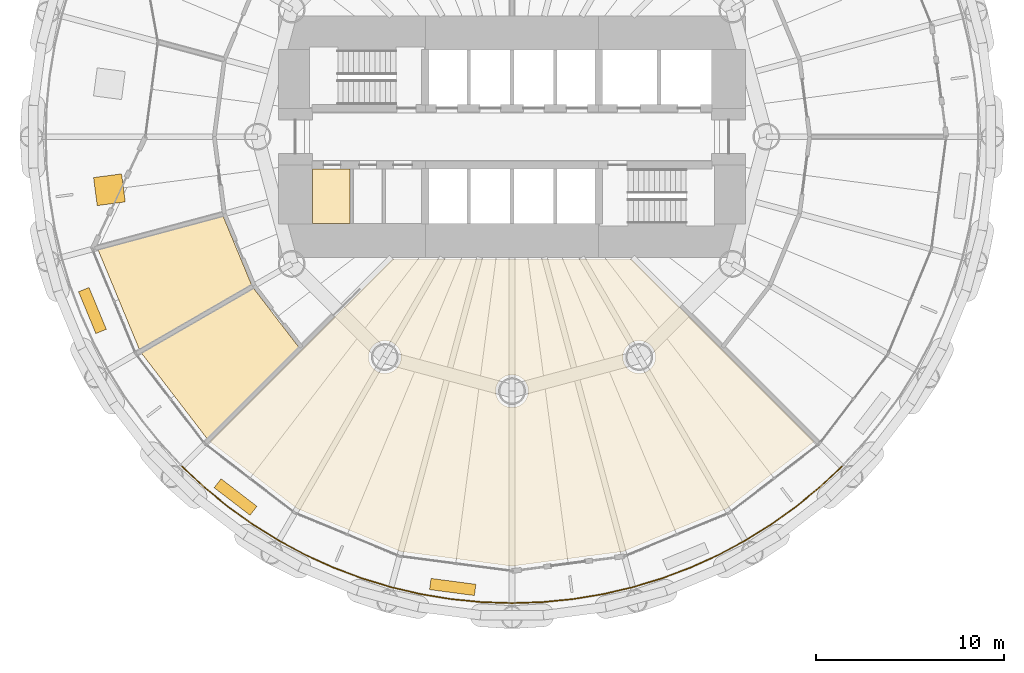
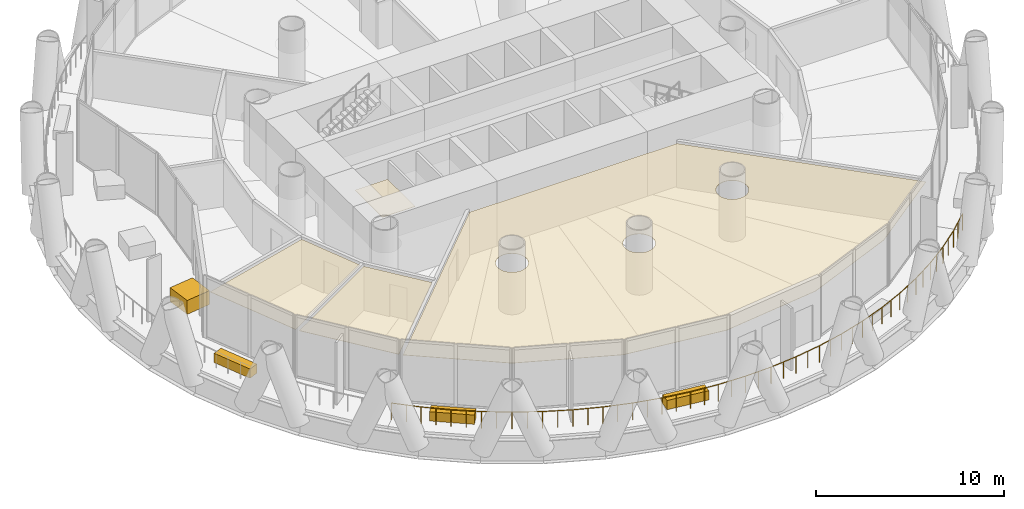
# One storey, part 12 of 15: 8 coverings, 1 railing.
"""IFC4 building model written with IfcOpenShell, lengths in metres."""

import ifcopenshell
import ifcopenshell.guid

model = None  # the IFC model being written
_history = None  # IfcOwnerHistory: only IFC2X3 demands one
_inside = {}  # id of a spatial element -> (the spatial element, [elements in it])
_under = {}  # id of a project, library or spatial element -> (it, [spatial elements below it])
_declared = {}  # id of a project -> (the project, [libraries it declares])
_typed = {}  # id of a type object -> (the type object, [elements of that type])
_made_of = {}  # id of a material, layer set ... -> (it, [elements and type objects made of it])


def new_model(schema):
    """Start an empty IFC model of exactly this schema.

    Asked for "IFC4X3", IfcOpenShell would pick the latest addendum, in which some entities
    have other attributes; the version numbers below select the first issue.
    IFC2X3 requires an IfcOwnerHistory on every rooted entity: one is made here for all.
    """
    global model, _history
    if schema == "IFC4X3":
        model = ifcopenshell.file(schema_version=(4, 3, 0, 0))
    else:
        model = ifcopenshell.file(schema=schema)
    _inside.clear()
    _under.clear()
    _declared.clear()
    _typed.clear()
    _made_of.clear()
    _history = None
    if model.schema == "IFC2X3":
        org = make("IfcOrganization", Name="unknown")
        user = make(
            "IfcPersonAndOrganization",
            ThePerson=make("IfcPerson", FamilyName="unknown"),
            TheOrganization=org,
        )
        app = make(
            "IfcApplication",
            ApplicationDeveloper=org,
            Version="unknown",
            ApplicationFullName="unknown",
            ApplicationIdentifier="unknown",
        )
        _history = make(
            "IfcOwnerHistory",
            OwningUser=user,
            OwningApplication=app,
            ChangeAction="ADDED",
            CreationDate=0,
        )
    return model


def make(cls, **values):
    """One entity of the class cls with the attributes given. An attribute that is None is left unset."""
    return model.create_entity(
        cls, **{name: value for name, value in values.items() if value is not None}
    )


def rooted(cls, **values):
    """An entity with a GlobalId (a new one), such as an element, a storey or a relation."""
    return make(cls, GlobalId=ifcopenshell.guid.new(), OwnerHistory=_history, **values)


def si_unit(unit_type, name, prefix=None):
    """IfcSIUnit, for example si_unit("LENGTHUNIT", "METRE", prefix="MILLI")."""
    return make("IfcSIUnit", UnitType=unit_type, Prefix=prefix, Name=name)


def assignment(units):
    """IfcUnitAssignment: the units of a project."""
    return None if units is None else make("IfcUnitAssignment", Units=units)


def point(xyz):
    """IfcCartesianPoint."""
    return None if xyz is None else make("IfcCartesianPoint", Coordinates=xyz)


def direction(xyz):
    """IfcDirection."""
    return None if xyz is None else make("IfcDirection", DirectionRatios=xyz)


def frame(location, z_axis=None, x_axis=None):
    """IfcAxis2Placement3D, a coordinate frame: its origin and axes. An axis left out is left unset."""
    return make(
        "IfcAxis2Placement3D",
        Location=point(location),
        Axis=direction(z_axis),
        RefDirection=direction(x_axis),
    )


def frame_2d(location, x_axis=None):
    """IfcAxis2Placement2D, a coordinate frame in the plane: its origin and x axis."""
    return make(
        "IfcAxis2Placement2D", Location=point(location), RefDirection=direction(x_axis)
    )


def origin():
    """The frame at (0, 0, 0) with its axes left unset."""
    return frame((0.0, 0.0, 0.0))


def origin_2d():
    """The frame at (0, 0) in the plane with its x axis left unset."""
    return frame_2d((0.0, 0.0))


def place(relative_to, where):
    """IfcLocalPlacement: puts the frame where relative to a parent placement (None: the world)."""
    return make(
        "IfcLocalPlacement", PlacementRelTo=relative_to, RelativePlacement=where
    )


def context(
    kind, dimensions, precision=None, world=None, true_north=None, identifier=None
):
    """IfcGeometricRepresentationContext, for example the 3D "Model" context."""
    return make(
        "IfcGeometricRepresentationContext",
        ContextIdentifier=identifier,
        ContextType=kind,
        CoordinateSpaceDimension=dimensions,
        Precision=precision,
        WorldCoordinateSystem=world,
        TrueNorth=true_north,
    )


def subcontext(parent, identifier, kind, view, scale=None):
    """IfcGeometricRepresentationSubContext, for example "Body" below "Model"."""
    return make(
        "IfcGeometricRepresentationSubContext",
        ContextIdentifier=identifier,
        ContextType=kind,
        ParentContext=parent,
        TargetScale=scale,
        TargetView=view,
    )


def project(units=None, contexts=None):
    """IfcProject with its units and contexts."""
    return rooted(
        "IfcProject",
        Name="project",
        RepresentationContexts=contexts,
        UnitsInContext=assignment(units),
    )


def spatial(cls, under=None, at=None, **own):
    """A site, building, storey or space (cls), placed at a placement, below another one or the project."""
    s = rooted(cls, ObjectPlacement=at, **own)
    if under is not None:
        _under.setdefault(under.id(), (under, []))[1].append(s)
    return s


def polyline(points):
    """IfcPolyline through the points."""
    return make("IfcPolyline", Points=[point(p) for p in points])


def profile(cls, at=None, kind="AREA", **sizes):
    """A parametric profile (cls). Its sizes go by their IFC names, for example OverallWidth=200.0."""
    return make(cls, ProfileType=kind, Position=at, **sizes)


def rectangle(**sizes):
    """IfcRectangleProfileDef."""
    return profile("IfcRectangleProfileDef", **sizes)


def circle(**sizes):
    """IfcCircleProfileDef."""
    return profile("IfcCircleProfileDef", **sizes)


def outline(outer, holes=None, kind="AREA"):
    """IfcArbitraryClosedProfileDef: a profile drawn as a closed curve; with holes, ...WithVoids."""
    if holes is None:
        return make("IfcArbitraryClosedProfileDef", ProfileType=kind, OuterCurve=outer)
    return make(
        "IfcArbitraryProfileDefWithVoids",
        ProfileType=kind,
        OuterCurve=outer,
        InnerCurves=holes,
    )


def extrude(swept, where, along, depth):
    """IfcExtrudedAreaSolid: the profile swept, set in the frame where, extruded along a direction by depth."""
    return make(
        "IfcExtrudedAreaSolid",
        SweptArea=swept,
        Position=where,
        ExtrudedDirection=direction(along),
        Depth=depth,
    )


def shape(context_of_items, identifier, shape_type, items):
    """IfcShapeRepresentation: the items that make up one representation, for example the "Body"."""
    return make(
        "IfcShapeRepresentation",
        ContextOfItems=context_of_items,
        RepresentationIdentifier=identifier,
        RepresentationType=shape_type,
        Items=items,
    )


def material(Name=None, Category=None):
    """IfcMaterial."""
    return make("IfcMaterial", Name=Name, Category=Category)


def layer(
    of_material, thickness, ventilated=None, Name=None, Category=None, Priority=None
):
    """IfcMaterialLayer: one layer of a wall or slab, of a material (None: an air gap)."""
    return make(
        "IfcMaterialLayer",
        Material=of_material,
        LayerThickness=thickness,
        IsVentilated=ventilated,
        Name=Name,
        Category=Category,
        Priority=Priority,
    )


def layer_set(layers, Name=None):
    """IfcMaterialLayerSet."""
    return make("IfcMaterialLayerSet", MaterialLayers=layers, LayerSetName=Name)


def made_of(thing, what):
    """Note that an element or type object is made of a material, layer set ...; save() writes the relation."""
    if what is not None:
        _made_of.setdefault(what.id(), (what, []))[1].append(thing)
    return thing


def type_object(cls, material=None, **own):
    """A type object (cls), such as IfcWallType, which elements share."""
    return made_of(rooted(cls, **own), material)


def element(
    cls,
    number,
    at=None,
    inside=None,
    cuts=None,
    type_object=None,
    material=None,
    context=None,
    identifier="Body",
    shape_type=None,
    held_by="IfcProductDefinitionShape",
    body=None,
    shapes=None,
    **own,
):
    """One element of the class cls, such as IfcWall. Its Tag is "e" and its number.

    at: its placement. inside: the storey or other place that contains it. cuts: it is an
    opening in that element (IfcRelVoidsElement). A single representation is given by context,
    identifier, shape_type and body (its items); several are given by shapes. held_by: the class
    of the entity that holds the representations. save() writes the other relations.
    """
    e = rooted(cls, Tag="e%d" % number, ObjectPlacement=at, **own)
    if body is not None:
        shapes = [shape(context, identifier, shape_type, body)]
    if shapes is not None:
        e.Representation = make(held_by, Representations=shapes)
    if inside is not None:
        _inside.setdefault(inside.id(), (inside, []))[1].append(e)
    if cuts is not None:
        rooted(
            "IfcRelVoidsElement", RelatingBuildingElement=cuts, RelatedOpeningElement=e
        )
    if type_object is not None:
        _typed.setdefault(type_object.id(), (type_object, []))[1].append(e)
    return made_of(e, material)


def aggregate(whole, parts):
    """IfcRelAggregates: a whole, such as a stair, and the parts it consists of."""
    return rooted("IfcRelAggregates", RelatingObject=whole, RelatedObjects=parts)


def save(model, path):
    """Write the relations noted so far, then the file.

    IfcRelAggregates (storeys below a building ...), IfcRelContainedInSpatialStructure (elements
    in a storey), IfcRelDefinesByType, IfcRelAssociatesMaterial and IfcRelDeclares: one each for
    every whole, place, type object, material and project.
    """
    for whole, parts in _under.values():
        aggregate(whole, parts)
    for where, things in _inside.values():
        rooted(
            "IfcRelContainedInSpatialStructure",
            RelatedElements=things,
            RelatingStructure=where,
        )
    for kind, things in _typed.values():
        rooted("IfcRelDefinesByType", RelatedObjects=things, RelatingType=kind)
    for what, things in _made_of.values():
        rooted("IfcRelAssociatesMaterial", RelatedObjects=things, RelatingMaterial=what)
    for by, libraries in _declared.values():
        rooted("IfcRelDeclares", RelatingContext=by, RelatedDefinitions=libraries)
    model.write(path)


model = new_model("IFC4")

# Units and contexts
model_context = context("Model", 3, precision=1e-05, world=origin(), true_north=direction((0.0, 1.0)))
body_context = subcontext(model_context, "Body", "Model", "MODEL_VIEW")
ifc_project = project(units=[si_unit("LENGTHUNIT", "METRE"), si_unit("AREAUNIT", "SQUARE_METRE"), si_unit("VOLUMEUNIT", "CUBIC_METRE"), si_unit("PLANEANGLEUNIT", "RADIAN"), si_unit("MASSUNIT", "GRAM", prefix="KILO")], contexts=[model_context])

# Site, building, storey
site_placement = place(None, origin())
site = spatial("IfcSite", under=ifc_project, at=site_placement, CompositionType="ELEMENT")
building_placement = place(site_placement, origin())
building = spatial("IfcBuilding", under=site, at=building_placement, Name="Qaws Media Tower", CompositionType="ELEMENT")
storey_placement = place(building_placement, frame((0.0, 0.0, 72.199951171875)))
storey = spatial("IfcBuildingStorey", under=building, at=storey_placement, Name="L15", CompositionType="ELEMENT", Elevation=72.199951171875)

# Railing
ifc_material_1 = material(Name="Stainless steel and glass guard", Category="steel")
railing_type = type_object("IfcRailingType", Name="Balcony guard 1100", PredefinedType="GUARDRAIL", material=ifc_material_1)
railing_placement = place(storey_placement, frame((42.4990234375, 32.4990234375, 0.0)))
element("IfcRailing", 1, at=railing_placement, inside=storey, type_object=railing_type, Name="GR1 balcony guard L15-3", PredefinedType="GUARDRAIL", context=body_context, shape_type="SweptSolid", body=[
    extrude(circle(Radius=0.02392578125, at=origin_2d()), frame((0.0, 0.0, 1.076171875), z_axis=(0.729866170297, -0.683590062432, 0.0), x_axis=(0.683590062432, 0.729866170297, 0.0)), (0.0, 0.0, 1.0), 1.61962890625),
    extrude(circle(Radius=0.02392578125, at=origin_2d()), frame((1.18212890625, -1.107177734375, 1.076171875), z_axis=(0.773043042014, -0.634353572698, 0.0), x_axis=(0.634353572698, 0.773043042014, 0.0)), (0.0, 0.0, 1.0), 1.61962890625),
    extrude(circle(Radius=0.02392578125, at=origin_2d()), frame((2.43408203125, -2.134521484375, 1.076171875), z_axis=(0.812887300094, -0.582421013826, 0.0), x_axis=(0.582421013826, 0.812887300094, 0.0)), (0.0, 0.0, 1.0), 1.61962890625),
    extrude(circle(Radius=0.02392578125, at=origin_2d()), frame((3.750732421875, -3.077880859375, 1.076171875), z_axis=(0.849190316648, -0.528086930449, 0.0), x_axis=(0.528086930449, 0.849190316648, 0.0)), (0.0, 0.0, 1.0), 1.619384765625),
    extrude(circle(Radius=0.02392578125, at=origin_2d()), frame((5.1259765625, -3.93310546875, 1.076171875), z_axis=(0.881947874294, -0.471346949738, 0.0), x_axis=(0.471346949738, 0.881947874294, 0.0)), (0.0, 0.0, 1.0), 1.61962890625),
    extrude(circle(Radius=0.02392578125, at=origin_2d()), frame((6.554443359375, -4.696533203125, 1.076171875), z_axis=(0.910840848393, -0.412757736329, 0.0), x_axis=(0.412757736329, 0.910840848393, 0.0)), (0.0, 0.0, 1.0), 1.619384765625),
    extrude(circle(Radius=0.02392578125, at=origin_2d()), frame((8.029541015625, -5.364990234375, 1.076171875), z_axis=(0.935901062927, -0.352262970537, 0.0), x_axis=(0.352262970537, 0.935901062927, 0.0)), (0.0, 0.0, 1.0), 1.61962890625),
    extrude(circle(Radius=0.02392578125, at=origin_2d()), frame((9.54541015625, -5.935546875, 1.076171875), z_axis=(0.956925458438, -0.290333716596, 0.0), x_axis=(0.290333716596, 0.956925458438, 0.0)), (0.0, 0.0, 1.0), 1.61962890625),
    extrude(circle(Radius=0.02392578125, at=origin_2d()), frame((11.09521484375, -6.40576171875, 1.076171875), z_axis=(0.973893440618, -0.227005652619, 0.0), x_axis=(0.227005652619, 0.973893440618, 0.0)), (0.0, 0.0, 1.0), 1.61962890625),
    extrude(circle(Radius=0.02392578125, at=origin_2d()), frame((12.672607421875, -6.7734375, 1.076171875), z_axis=(0.986633248331, -0.162956538036, 0.0), x_axis=(0.162956538036, 0.986633248331, 0.0)), (0.0, 0.0, 1.0), 1.61962890625),
    extrude(circle(Radius=0.02392578125, at=origin_2d()), frame((14.2705078125, -7.037353515625, 1.076171875), z_axis=(0.995188258587, -0.097981273566, 0.0), x_axis=(0.097981273566, 0.995188258587, 0.0)), (0.0, 0.0, 1.0), 1.61962890625),
    extrude(circle(Radius=0.02392578125, at=origin_2d()), frame((15.88232421875, -7.196044921875, 1.076171875), z_axis=(0.999464803017, -0.032712498078, 0.0), x_axis=(0.032712498078, 0.999464803017, 0.0)), (0.0, 0.0, 1.0), 1.61962890625),
    extrude(circle(Radius=0.02392578125, at=origin_2d()), frame((17.5009765625, -7.2490234375, 1.076171875), z_axis=(0.999464803017, 0.032712498078, 0.0), x_axis=(-0.032712498078, 0.999464803017, 0.0)), (0.0, 0.0, 1.0), 1.61962890625),
    extrude(circle(Radius=0.02392578125, at=origin_2d()), frame((19.11962890625, -7.196044921875, 1.076171875), z_axis=(0.995188258587, 0.097981273566, 0.0), x_axis=(-0.097981273566, 0.995188258587, 0.0)), (0.0, 0.0, 1.0), 1.61962890625),
    extrude(circle(Radius=0.02392578125, at=origin_2d()), frame((20.7314453125, -7.037353515625, 1.076171875), z_axis=(0.986633248331, 0.162956538036, 0.0), x_axis=(-0.162956538036, 0.986633248331, 0.0)), (0.0, 0.0, 1.0), 1.61962890625),
    extrude(circle(Radius=0.02392578125, at=origin_2d()), frame((22.329345703125, -6.7734375, 1.076171875), z_axis=(0.973893440618, 0.227005652619, 0.0), x_axis=(-0.227005652619, 0.973893440618, 0.0)), (0.0, 0.0, 1.0), 1.61962890625),
    extrude(circle(Radius=0.02392578125, at=origin_2d()), frame((23.90673828125, -6.40576171875, 1.076171875), z_axis=(0.956925458438, 0.290333716596, 0.0), x_axis=(-0.290333716596, 0.956925458438, 0.0)), (0.0, 0.0, 1.0), 1.61962890625),
    extrude(circle(Radius=0.02392578125, at=origin_2d()), frame((25.45654296875, -5.935546875, 1.076171875), z_axis=(0.935901062927, 0.352262970537, 0.0), x_axis=(-0.352262970537, 0.935901062927, 0.0)), (0.0, 0.0, 1.0), 1.61962890625),
    extrude(circle(Radius=0.02392578125, at=origin_2d()), frame((26.972412109375, -5.364990234375, 1.076171875), z_axis=(0.910840848393, 0.412757736329, 0.0), x_axis=(-0.412757736329, 0.910840848393, 0.0)), (0.0, 0.0, 1.0), 1.619384765625),
    extrude(circle(Radius=0.02392578125, at=origin_2d()), frame((28.447509765625, -4.696533203125, 1.076171875), z_axis=(0.881947874294, 0.471346949738, 0.0), x_axis=(-0.471346949738, 0.881947874294, 0.0)), (0.0, 0.0, 1.0), 1.61962890625),
    extrude(circle(Radius=0.02392578125, at=origin_2d()), frame((29.8759765625, -3.93310546875, 1.076171875), z_axis=(0.849190316648, 0.528086930449, 0.0), x_axis=(-0.528086930449, 0.849190316648, 0.0)), (0.0, 0.0, 1.0), 1.619384765625),
    extrude(circle(Radius=0.02392578125, at=origin_2d()), frame((31.251220703125, -3.077880859375, 1.076171875), z_axis=(0.812887300094, 0.582421013826, 0.0), x_axis=(-0.582421013826, 0.812887300094, 0.0)), (0.0, 0.0, 1.0), 1.61962890625),
    extrude(circle(Radius=0.02392578125, at=origin_2d()), frame((32.56787109375, -2.134521484375, 1.076171875), z_axis=(0.773043042014, 0.634353572698, 0.0), x_axis=(-0.634353572698, 0.773043042014, 0.0)), (0.0, 0.0, 1.0), 1.61962890625),
    extrude(circle(Radius=0.02392578125, at=origin_2d()), frame((33.81982421875, -1.107177734375, 1.076171875), z_axis=(0.729866170297, 0.683590062432, 0.0), x_axis=(-0.683590062432, 0.729866170297, 0.0)), (0.0, 0.0, 1.0), 1.61962890625),
    extrude(circle(Radius=0.02099609375, at=origin_2d()), origin(), (0.0, 0.0, 1.0), 1.052001953125),
    extrude(circle(Radius=0.02099609375, at=origin_2d()), frame((0.591064453125, -0.5537109375, 0.0)), (0.0, 0.0, 1.0), 1.052001953125),
    extrude(circle(Radius=0.02099609375, at=origin_2d()), frame((1.18212890625, -1.107177734375, 0.0)), (0.0, 0.0, 1.0), 1.052001953125),
    extrude(circle(Radius=0.02099609375, at=origin_2d()), frame((1.80810546875, -1.620849609375, 0.0)), (0.0, 0.0, 1.0), 1.052001953125),
    extrude(circle(Radius=0.02099609375, at=origin_2d()), frame((2.43408203125, -2.134521484375, 0.0)), (0.0, 0.0, 1.0), 1.052001953125),
    extrude(circle(Radius=0.02099609375, at=origin_2d()), frame((3.09228515625, -2.606201171875, 0.0)), (0.0, 0.0, 1.0), 1.052001953125),
    extrude(circle(Radius=0.02099609375, at=origin_2d()), frame((3.750732421875, -3.077880859375, 0.0)), (0.0, 0.0, 1.0), 1.052001953125),
    extrude(circle(Radius=0.02099609375, at=origin_2d()), frame((4.4384765625, -3.50537109375, 0.0)), (0.0, 0.0, 1.0), 1.052001953125),
    extrude(circle(Radius=0.02099609375, at=origin_2d()), frame((5.1259765625, -3.93310546875, 0.0)), (0.0, 0.0, 1.0), 1.052001953125),
    extrude(circle(Radius=0.02099609375, at=origin_2d()), frame((5.84033203125, -4.31494140625, 0.0)), (0.0, 0.0, 1.0), 1.052001953125),
    extrude(circle(Radius=0.02099609375, at=origin_2d()), frame((6.554443359375, -4.696533203125, 0.0)), (0.0, 0.0, 1.0), 1.052001953125),
    extrude(circle(Radius=0.02099609375, at=origin_2d()), frame((7.2919921875, -5.03076171875, 0.0)), (0.0, 0.0, 1.0), 1.052001953125),
    extrude(circle(Radius=0.02099609375, at=origin_2d()), frame((8.029541015625, -5.364990234375, 0.0)), (0.0, 0.0, 1.0), 1.052001953125),
    extrude(circle(Radius=0.02099609375, at=origin_2d()), frame((8.78759765625, -5.650390625, 0.0)), (0.0, 0.0, 1.0), 1.052001953125),
    extrude(circle(Radius=0.02099609375, at=origin_2d()), frame((9.54541015625, -5.935546875, 0.0)), (0.0, 0.0, 1.0), 1.052001953125),
    extrude(circle(Radius=0.02099609375, at=origin_2d()), frame((10.3203125, -6.170654296875, 0.0)), (0.0, 0.0, 1.0), 1.052001953125),
    extrude(circle(Radius=0.02099609375, at=origin_2d()), frame((11.09521484375, -6.40576171875, 0.0)), (0.0, 0.0, 1.0), 1.052001953125),
    extrude(circle(Radius=0.02099609375, at=origin_2d()), frame((11.8837890625, -6.589599609375, 0.0)), (0.0, 0.0, 1.0), 1.052001953125),
    extrude(circle(Radius=0.02099609375, at=origin_2d()), frame((12.672607421875, -6.7734375, 0.0)), (0.0, 0.0, 1.0), 1.052001953125),
    extrude(circle(Radius=0.02099609375, at=origin_2d()), frame((13.4716796875, -6.9052734375, 0.0)), (0.0, 0.0, 1.0), 1.052001953125),
    extrude(circle(Radius=0.02099609375, at=origin_2d()), frame((14.2705078125, -7.037353515625, 0.0)), (0.0, 0.0, 1.0), 1.052001953125),
    extrude(circle(Radius=0.02099609375, at=origin_2d()), frame((15.076416015625, -7.11669921875, 0.0)), (0.0, 0.0, 1.0), 1.052001953125),
    extrude(circle(Radius=0.02099609375, at=origin_2d()), frame((15.88232421875, -7.196044921875, 0.0)), (0.0, 0.0, 1.0), 1.052001953125),
    extrude(circle(Radius=0.02099609375, at=origin_2d()), frame((16.691650390625, -7.22265625, 0.0)), (0.0, 0.0, 1.0), 1.052001953125),
    extrude(circle(Radius=0.02099609375, at=origin_2d()), frame((17.5009765625, -7.2490234375, 0.0)), (0.0, 0.0, 1.0), 1.052001953125),
    extrude(circle(Radius=0.02099609375, at=origin_2d()), frame((18.310302734375, -7.22265625, 0.0)), (0.0, 0.0, 1.0), 1.052001953125),
    extrude(circle(Radius=0.02099609375, at=origin_2d()), frame((19.11962890625, -7.196044921875, 0.0)), (0.0, 0.0, 1.0), 1.052001953125),
    extrude(circle(Radius=0.02099609375, at=origin_2d()), frame((19.925537109375, -7.11669921875, 0.0)), (0.0, 0.0, 1.0), 1.052001953125),
    extrude(circle(Radius=0.02099609375, at=origin_2d()), frame((20.7314453125, -7.037353515625, 0.0)), (0.0, 0.0, 1.0), 1.052001953125),
    extrude(circle(Radius=0.02099609375, at=origin_2d()), frame((21.5302734375, -6.9052734375, 0.0)), (0.0, 0.0, 1.0), 1.052001953125),
    extrude(circle(Radius=0.02099609375, at=origin_2d()), frame((22.329345703125, -6.7734375, 0.0)), (0.0, 0.0, 1.0), 1.052001953125),
    extrude(circle(Radius=0.02099609375, at=origin_2d()), frame((23.1181640625, -6.589599609375, 0.0)), (0.0, 0.0, 1.0), 1.052001953125),
    extrude(circle(Radius=0.02099609375, at=origin_2d()), frame((23.90673828125, -6.40576171875, 0.0)), (0.0, 0.0, 1.0), 1.052001953125),
    extrude(circle(Radius=0.02099609375, at=origin_2d()), frame((24.681640625, -6.170654296875, 0.0)), (0.0, 0.0, 1.0), 1.052001953125),
    extrude(circle(Radius=0.02099609375, at=origin_2d()), frame((25.45654296875, -5.935546875, 0.0)), (0.0, 0.0, 1.0), 1.052001953125),
    extrude(circle(Radius=0.02099609375, at=origin_2d()), frame((26.21435546875, -5.650390625, 0.0)), (0.0, 0.0, 1.0), 1.052001953125),
    extrude(circle(Radius=0.02099609375, at=origin_2d()), frame((26.972412109375, -5.364990234375, 0.0)), (0.0, 0.0, 1.0), 1.052001953125),
    extrude(circle(Radius=0.02099609375, at=origin_2d()), frame((27.7099609375, -5.03076171875, 0.0)), (0.0, 0.0, 1.0), 1.052001953125),
    extrude(circle(Radius=0.02099609375, at=origin_2d()), frame((28.447509765625, -4.696533203125, 0.0)), (0.0, 0.0, 1.0), 1.052001953125),
    extrude(circle(Radius=0.02099609375, at=origin_2d()), frame((29.16162109375, -4.31494140625, 0.0)), (0.0, 0.0, 1.0), 1.052001953125),
    extrude(circle(Radius=0.02099609375, at=origin_2d()), frame((29.8759765625, -3.93310546875, 0.0)), (0.0, 0.0, 1.0), 1.052001953125),
    extrude(circle(Radius=0.02099609375, at=origin_2d()), frame((30.5634765625, -3.50537109375, 0.0)), (0.0, 0.0, 1.0), 1.052001953125),
    extrude(circle(Radius=0.02099609375, at=origin_2d()), frame((31.251220703125, -3.077880859375, 0.0)), (0.0, 0.0, 1.0), 1.052001953125),
    extrude(circle(Radius=0.02099609375, at=origin_2d()), frame((31.90966796875, -2.606201171875, 0.0)), (0.0, 0.0, 1.0), 1.052001953125),
    extrude(circle(Radius=0.02099609375, at=origin_2d()), frame((32.56787109375, -2.134521484375, 0.0)), (0.0, 0.0, 1.0), 1.052001953125),
    extrude(circle(Radius=0.02099609375, at=origin_2d()), frame((33.19384765625, -1.620849609375, 0.0)), (0.0, 0.0, 1.0), 1.052001953125),
    extrude(circle(Radius=0.02099609375, at=origin_2d()), frame((33.81982421875, -1.107177734375, 0.0)), (0.0, 0.0, 1.0), 1.052001953125),
    extrude(circle(Radius=0.02099609375, at=origin_2d()), frame((34.410888671875, -0.5537109375, 0.0)), (0.0, 0.0, 1.0), 1.052001953125),
    extrude(circle(Radius=0.02099609375, at=origin_2d()), frame((35.001953125, 0.0, 0.0)), (0.0, 0.0, 1.0), 1.052001953125),
])

# Coverings
ifc_material_2 = material(Name="600 x 600 mineral fibre tiles in exposed grid, suspended", Category="mineral fibre")
ifc_layer_1 = layer(ifc_material_2, 0.02001953125)
ifc_layer_set_1 = layer_set([ifc_layer_1], Name="Mineral fibre tile ceiling 20")
covering_type_1 = type_object("IfcCoveringType", Name="Mineral fibre tile ceiling 20", PredefinedType="CEILING", material=ifc_layer_set_1)
covering_1_placement = place(storey_placement, frame((0.0, 0.0, 2.85009765625)))
element("IfcCovering", 2, at=covering_1_placement, inside=storey, type_object=covering_type_1, Name="CL1 ceiling L15-07 Gents toilets", PredefinedType="CEILING", context=body_context, shape_type="SweptSolid", body=[
    extrude(outline(polyline([(44.672119140625, 45.776611328125), (46.175048828125, 42.148193359375), (40.22412109375, 38.712158203125), (38.03466796875, 43.997802734375), (44.672119140625, 45.776611328125)])), origin(), (0.0, 0.0, 1.0), 0.02001953125),
])
covering_2_placement = place(storey_placement, frame((0.0, 0.0, 2.85009765625)))
element("IfcCovering", 3, at=covering_2_placement, inside=storey, type_object=covering_type_1, Name="CL1 ceiling L15-08 Ladies toilets", PredefinedType="CEILING", context=body_context, shape_type="SweptSolid", body=[
    extrude(outline(polyline([(40.33642578125, 38.517333984375), (46.28759765625, 41.953125), (48.678466796875, 38.83740234375), (43.8193359375, 33.978515625), (40.33642578125, 38.517333984375)])), origin(), (0.0, 0.0, 1.0), 0.02001953125),
])
covering_3_placement = place(storey_placement, frame((0.0, 0.0, 2.85009765625)))
element("IfcCovering", 4, at=covering_3_placement, inside=storey, type_object=covering_type_1, Name="CL1 ceiling L15-09 Graphics workroom", PredefinedType="CEILING", context=body_context, shape_type="SweptSolid", body=[
    extrude(outline(polyline([(76.021484375, 33.8193359375), (71.392578125, 30.267333984375), (65.897216796875, 27.9912109375), (60.0, 27.21484375), (54.102783203125, 27.9912109375), (48.607421875, 30.267333984375), (43.978515625, 33.8193359375), (53.646484375, 43.487548828125), (66.353515625, 43.487548828125), (76.021484375, 33.8193359375)]), holes=[polyline([(54.09130859375, 38.083251953125), (54.113525390625, 38.195068359375), (54.12109375, 38.30859375), (54.113525390625, 38.42236328125), (54.09130859375, 38.5341796875), (54.0546875, 38.64208984375), (54.00439453125, 38.744140625), (53.94091796875, 38.8388671875), (53.865966796875, 38.924560546875), (53.7802734375, 38.999755859375), (53.685546875, 39.06298828125), (53.583251953125, 39.11328125), (53.475341796875, 39.14990234375), (53.36376953125, 39.172119140625), (53.25, 39.1796875), (53.13623046875, 39.172119140625), (53.024658203125, 39.14990234375), (52.916748046875, 39.11328125), (52.814453125, 39.06298828125), (52.7197265625, 38.999755859375), (52.634033203125, 38.924560546875), (52.55908203125, 38.8388671875), (52.49560546875, 38.744140625), (52.4453125, 38.64208984375), (52.40869140625, 38.5341796875), (52.386474609375, 38.42236328125), (52.37890625, 38.30859375), (52.386474609375, 38.195068359375), (52.40869140625, 38.083251953125), (52.4453125, 37.975341796875), (52.49560546875, 37.873291015625), (52.55908203125, 37.7783203125), (52.634033203125, 37.69287109375), (52.7197265625, 37.61767578125), (52.814453125, 37.55419921875), (52.916748046875, 37.50390625), (53.024658203125, 37.46728515625), (53.13623046875, 37.445068359375), (53.25, 37.437744140625), (53.36376953125, 37.445068359375), (53.475341796875, 37.46728515625), (53.583251953125, 37.50390625), (53.685546875, 37.55419921875), (53.7802734375, 37.61767578125), (53.865966796875, 37.69287109375), (53.94091796875, 37.7783203125), (54.00439453125, 37.873291015625), (54.0546875, 37.975341796875), (54.09130859375, 38.083251953125)]), polyline([(60.84130859375, 36.274658203125), (60.863525390625, 36.38623046875), (60.87109375, 36.5), (60.863525390625, 36.61376953125), (60.84130859375, 36.725341796875), (60.8046875, 36.833251953125), (60.75439453125, 36.935546875), (60.69091796875, 37.0302734375), (60.615966796875, 37.115966796875), (60.5302734375, 37.19091796875), (60.435546875, 37.25439453125), (60.333251953125, 37.3046875), (60.225341796875, 37.34130859375), (60.11376953125, 37.363525390625), (60.0, 37.37109375), (59.88623046875, 37.363525390625), (59.774658203125, 37.34130859375), (59.666748046875, 37.3046875), (59.564453125, 37.25439453125), (59.4697265625, 37.19091796875), (59.384033203125, 37.115966796875), (59.30908203125, 37.0302734375), (59.24560546875, 36.935546875), (59.1953125, 36.833251953125), (59.15869140625, 36.725341796875), (59.136474609375, 36.61376953125), (59.12890625, 36.5), (59.136474609375, 36.38623046875), (59.15869140625, 36.274658203125), (59.1953125, 36.166748046875), (59.24560546875, 36.064453125), (59.30908203125, 35.9697265625), (59.384033203125, 35.884033203125), (59.4697265625, 35.80908203125), (59.564453125, 35.74560546875), (59.666748046875, 35.6953125), (59.774658203125, 35.65869140625), (59.88623046875, 35.636474609375), (60.0, 35.62890625), (60.11376953125, 35.636474609375), (60.225341796875, 35.65869140625), (60.333251953125, 35.6953125), (60.435546875, 35.74560546875), (60.5302734375, 35.80908203125), (60.615966796875, 35.884033203125), (60.69091796875, 35.9697265625), (60.75439453125, 36.064453125), (60.8046875, 36.166748046875), (60.84130859375, 36.274658203125)]), polyline([(67.5546875, 37.975341796875), (67.59130859375, 38.083251953125), (67.613525390625, 38.195068359375), (67.62109375, 38.30859375), (67.613525390625, 38.42236328125), (67.59130859375, 38.5341796875), (67.5546875, 38.64208984375), (67.50439453125, 38.744140625), (67.44091796875, 38.8388671875), (67.365966796875, 38.924560546875), (67.2802734375, 38.999755859375), (67.185546875, 39.06298828125), (67.083251953125, 39.11328125), (66.975341796875, 39.14990234375), (66.86376953125, 39.172119140625), (66.75, 39.1796875), (66.63623046875, 39.172119140625), (66.524658203125, 39.14990234375), (66.416748046875, 39.11328125), (66.314453125, 39.06298828125), (66.2197265625, 38.999755859375), (66.134033203125, 38.924560546875), (66.05908203125, 38.8388671875), (65.99560546875, 38.744140625), (65.9453125, 38.64208984375), (65.90869140625, 38.5341796875), (65.886474609375, 38.42236328125), (65.87890625, 38.30859375), (65.886474609375, 38.195068359375), (65.90869140625, 38.083251953125), (65.9453125, 37.975341796875), (65.99560546875, 37.873291015625), (66.05908203125, 37.7783203125), (66.134033203125, 37.69287109375), (66.2197265625, 37.61767578125), (66.314453125, 37.55419921875), (66.416748046875, 37.50390625), (66.524658203125, 37.46728515625), (66.63623046875, 37.445068359375), (66.75, 37.437744140625), (66.86376953125, 37.445068359375), (66.975341796875, 37.46728515625), (67.083251953125, 37.50390625), (67.185546875, 37.55419921875), (67.2802734375, 37.61767578125), (67.365966796875, 37.69287109375), (67.44091796875, 37.7783203125), (67.50439453125, 37.873291015625), (67.5546875, 37.975341796875)])]), origin(), (0.0, 0.0, 1.0), 0.02001953125),
])
ifc_material_3 = material(Name="Precast concrete planter with trailing planting", Category="concrete")
ifc_layer_2 = layer(ifc_material_3, 0.60009765625)
ifc_layer_set_2 = layer_set([ifc_layer_2], Name="Planter 2400x600")
covering_type_2 = type_object("IfcCoveringType", Name="Planter 2400x600", PredefinedType="USERDEFINED", material=ifc_layer_set_2)
for number, where, z_axis, x_axis, name in (
    (5, (37.734619140625, 40.77734375, 0.0), (0.0, 0.0, 1.0), (0.382683432365, -0.923879532511, 0.0), "PL1 balcony planter L15-07"),
    (6, (45.328857421875, 30.880126953125, 0.0), (0.0, 0.0, 1.0), (0.793353340291, -0.608761429009, 0.0), "PL1 balcony planter L15-08"),
    (7, (56.854248046875, 26.106201171875, 0.0), (0.0, 0.0, 1.0), (0.991444861374, -0.13052619222, 0.0), "PL1 balcony planter L15-09"),
):
    element("IfcCovering", number, at=place(storey_placement, frame(where, z_axis=z_axis, x_axis=x_axis)), inside=storey, type_object=covering_type_2, Name=name, ObjectType="PLANTER", PredefinedType="USERDEFINED", context=body_context, shape_type="SweptSolid", body=[
        extrude(rectangle(XDim=2.39990234375, YDim=0.60009765625, at=origin_2d()), origin(), (0.0, 0.0, 1.0), 0.60009765625),
    ])
ifc_material_4 = material(Name="Two layers 12.5 moisture-resistant plasterboard on suspended metal furring", Category="gypsum")
ifc_layer_3 = layer(ifc_material_4, 0.02490234375)
ifc_layer_set_3 = layer_set([ifc_layer_3], Name="Plasterboard ceiling 25")
covering_type_3 = type_object("IfcCoveringType", Name="Plasterboard ceiling 25", PredefinedType="CEILING", material=ifc_layer_set_3)
covering_4_placement = place(storey_placement, frame((0.0, 0.0, 2.85009765625)))
element("IfcCovering", 8, at=covering_4_placement, inside=storey, type_object=covering_type_3, Name="CL2 ceiling L15-C04 WC male", PredefinedType="CEILING", context=body_context, shape_type="SweptSolid", body=[
    extrude(outline(polyline([(49.39990234375, 45.39990234375), (49.39990234375, 48.300048828125), (51.39990234375, 48.300048828125), (51.39990234375, 45.39990234375), (49.39990234375, 45.39990234375)])), origin(), (0.0, 0.0, 1.0), 0.02490234375),
])
ifc_material_5 = material(Name="Precast concrete tree planter", Category="concrete")
ifc_layer_4 = layer(ifc_material_5, 0.89990234375)
ifc_layer_set_4 = layer_set([ifc_layer_4], Name="Tree planter 1500")
covering_type_4 = type_object("IfcCoveringType", Name="Tree planter 1500", PredefinedType="USERDEFINED", material=ifc_layer_set_4)
covering_5_placement = place(storey_placement, frame((38.63427734375, 47.187255859375, 0.0), z_axis=(0.0, 0.0, 1.0), x_axis=(-0.991444861374, -0.13052619222, 0.0)))
element("IfcCovering", 9, at=covering_5_placement, inside=storey, type_object=covering_type_4, Name="PL2 sky garden tree planter L15-3", ObjectType="PLANTER", PredefinedType="USERDEFINED", context=body_context, shape_type="SweptSolid", body=[
    extrude(rectangle(XDim=1.5, YDim=1.5, at=origin_2d()), origin(), (0.0, 0.0, 1.0), 0.89990234375),
])

save(model, "model.ifc")
